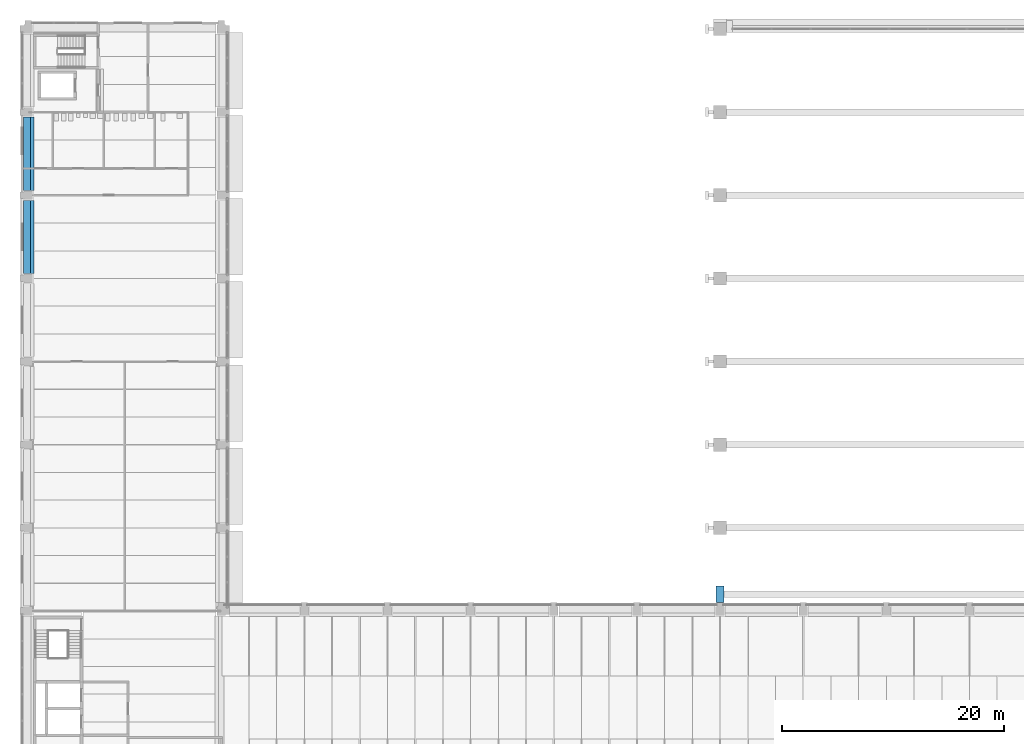
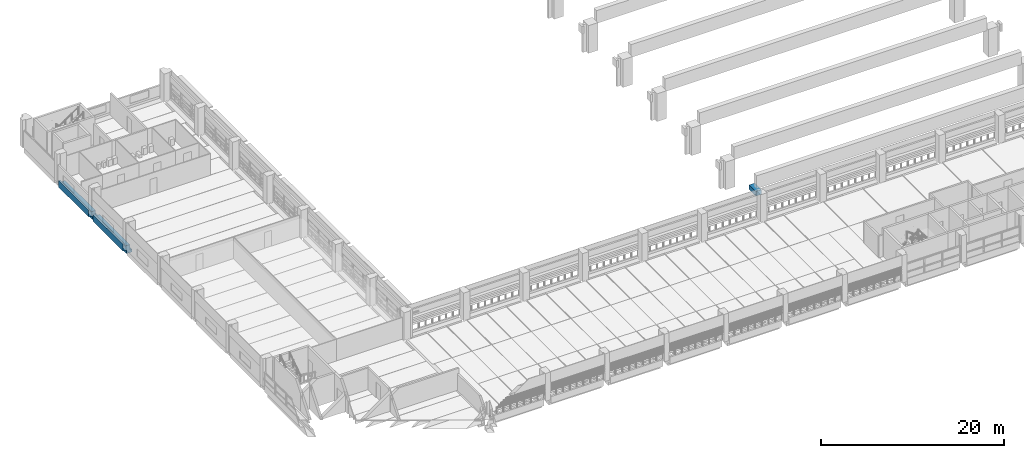
# One storey, part 11 of 61: 3 beams.
"""IFC4 building model written with IfcOpenShell, lengths in metres."""

from ifc_helpers import new_model, si_unit, direction, frame, origin, origin_2d, place, context, subcontext, project, spatial, polyline, rectangle, outline, extrude, material, material_profile, profile_set, type_object, element, save


model = new_model("IFC4")

# Units and contexts
model_context = context("Model", 3, precision=1e-05, world=origin(), true_north=direction((0.0, 1.0)))
body_context = subcontext(model_context, "Body", "Model", "MODEL_VIEW")
ifc_project = project(units=[si_unit("LENGTHUNIT", "METRE"), si_unit("AREAUNIT", "SQUARE_METRE"), si_unit("VOLUMEUNIT", "CUBIC_METRE"), si_unit("PLANEANGLEUNIT", "RADIAN"), si_unit("MASSUNIT", "GRAM", prefix="KILO")], contexts=[model_context])

# Site, building, storey
site_placement = place(None, origin())
site = spatial("IfcSite", under=ifc_project, at=site_placement, CompositionType="ELEMENT")
building_placement = place(site_placement, origin())
building = spatial("IfcBuilding", under=site, at=building_placement, Name="Cour d'Honneur Mobility Palace", CompositionType="ELEMENT")
storey_placement = place(building_placement, frame((0.0, 0.0, 11.89990234375)))
storey = spatial("IfcBuildingStorey", under=building, at=storey_placement, Name="L03", CompositionType="ELEMENT", Elevation=11.89990234375)

# Beams
ifc_material_1 = material(Name="Concrete C50", Category="concrete")
ifc_material_profile_1 = material_profile(ifc_material_1, rectangle(XDim=0.699951171875, YDim=0.60009765625, at=origin_2d()), Name="Hall corbel 700x600")
ifc_profile_set_1 = profile_set([ifc_material_profile_1], Name="Concrete C50")
beam_type_1 = type_object("IfcBeamType", Name="Hall corbel 700x600", PredefinedType="BEAM", material=ifc_profile_set_1)
beam_placement = place(storey_placement, frame((62.39990234375, 63.14990234375, 3.10009765625), z_axis=(0.0, 1.0, 0.0), x_axis=(-1.0, 0.0, 0.0)))
element("IfcBeam", 1, at=beam_placement, inside=storey, type_object=beam_type_1, Name="Hall corbel CB-W", PredefinedType="BEAM", context=body_context, shape_type="SweptSolid", body=[
    extrude(rectangle(XDim=0.699951171875, YDim=0.60009765625, at=origin_2d()), origin(), (0.0, 0.0, 1.0), 1.5),
])
ifc_material_2 = material(Name="Concrete C45", Category="concrete")
ifc_material_profile_2 = material_profile(ifc_material_2, outline(polyline([(0.199951171875, -1.10009765625), (0.199951171875, -0.60009765625), (0.64990234375, -0.60009765625), (0.64990234375, 0.300048828125), (0.449951171875, 0.300048828125), (0.449951171875, 0.0), (0.199951171875, 0.0), (-0.199951171875, 0.0), (-0.199951171875, -0.75), (-0.5, -0.75), (-0.5, -1.10009765625), (0.199951171875, -1.10009765625)])), Name="Ledger Beam 400x1100 ledge right 350 facade left")
ifc_profile_set_2 = profile_set([ifc_material_profile_2], Name="Concrete C45")
beam_type_2 = type_object("IfcBeamType", Name="Ledger Beam 400x1100 ledge right 350 facade left", PredefinedType="BEAM", material=ifc_profile_set_2)
for number, where, z_axis, x_axis, name in (
    (2, (0.0, 92.85009765625, 0.0), (0.0, 1.0, 0.0), (-1.0, 0.0, 0.0), "Precast beam B4 M-N L03"),
    (3, (0.0, 100.35009765625, 0.0), (0.0, 1.0, 0.0), (-1.0, 0.0, 0.0), "Precast beam B4 N-P L03"),
):
    element("IfcBeam", number, at=place(storey_placement, frame(where, z_axis=z_axis, x_axis=x_axis)), inside=storey, type_object=beam_type_2, Name=name, PredefinedType="BEAM", context=body_context, shape_type="SweptSolid", body=[
        extrude(outline(polyline([(0.199951171875, -1.10009765625), (0.199951171875, -0.60009765625), (0.64990234375, -0.60009765625), (0.64990234375, 0.300048828125), (0.449951171875, 0.300048828125), (0.449951171875, 0.0), (0.199951171875, 0.0), (-0.199951171875, 0.0), (-0.199951171875, -0.75), (-0.5, -0.75), (-0.5, -1.10009765625), (0.199951171875, -1.10009765625)])), origin(), (0.0, 0.0, 1.0), 6.599853515625),
    ])

save(model, "model.ifc")
